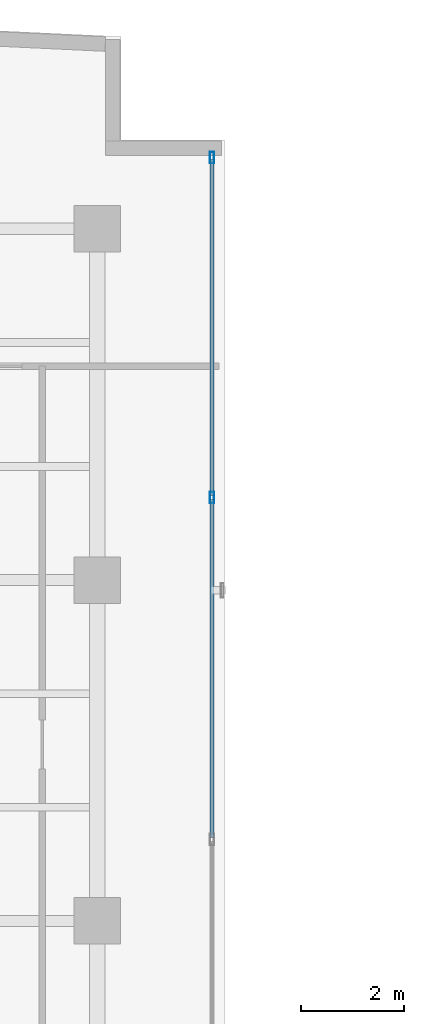
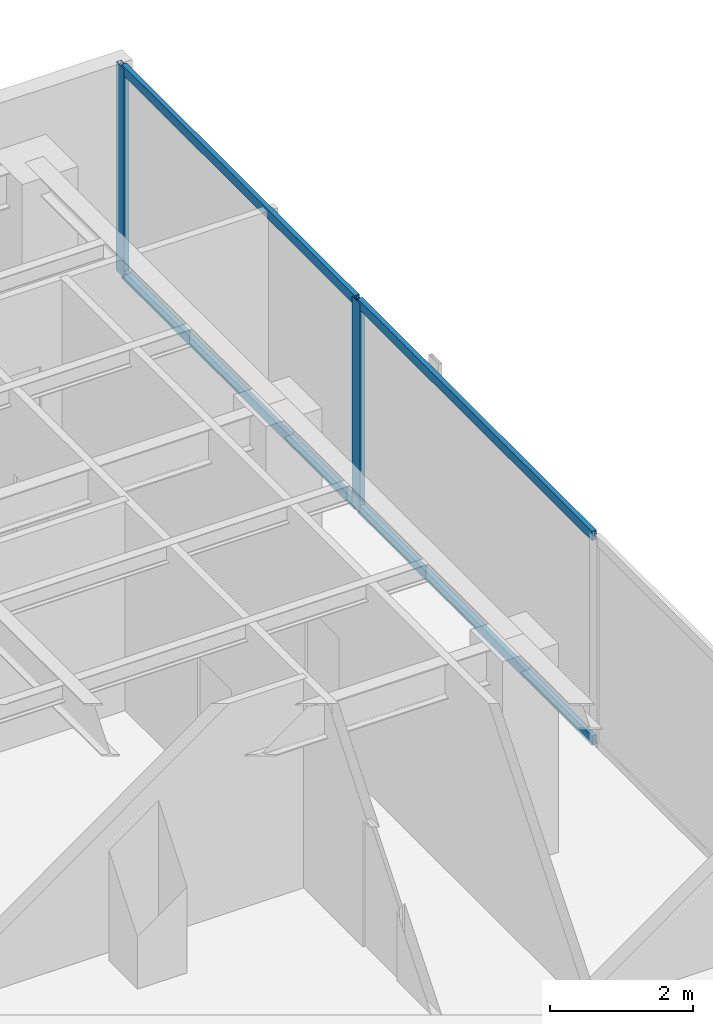
# One storey, part 15 of 22: 6 members, 1 element without a shape of its own.
"""IFC4 building model written with IfcOpenShell, lengths in metres."""

from ifc_helpers import new_model, si_unit, direction, frame, origin, origin_with_axes, origin_2d, place, context, subcontext, project, spatial, hollow_rectangle, extrude, source, transform, mapped, material, layer, layer_set, material_profile, profile_set, type_object, element, aggregate, save


model = new_model("IFC4")

# Units and contexts
model_context = context("Model", 3, precision=1e-05, world=origin(), true_north=direction((0.0, 1.0)))
body_context = subcontext(model_context, "Body", "Model", "MODEL_VIEW")
ifc_project = project(units=[si_unit("LENGTHUNIT", "METRE"), si_unit("AREAUNIT", "SQUARE_METRE"), si_unit("VOLUMEUNIT", "CUBIC_METRE"), si_unit("PLANEANGLEUNIT", "RADIAN"), si_unit("MASSUNIT", "GRAM", prefix="KILO")], contexts=[model_context])

# Site, building, storey
site_placement = place(None, origin())
site = spatial("IfcSite", under=ifc_project, at=site_placement, CompositionType="ELEMENT")
building_placement = place(site_placement, origin())
building = spatial("IfcBuilding", under=site, at=building_placement, Name="Kolvaren Waterfront Exchange", CompositionType="ELEMENT")
storey_placement = place(building_placement, frame((0.0, 0.0, 312.199951171875)))
storey = spatial("IfcBuildingStorey", under=building, at=storey_placement, Name="L80", CompositionType="ELEMENT", Elevation=312.199951171875)

# Curtain wall, members
ifc_material_1 = material(Name="Anodised bronze aluminium 6063-T6", Category="aluminium")
ifc_layer = layer(ifc_material_1, 0.219970703125, Name="Anodised bronze aluminium 6063-T6")
ifc_layer_set = layer_set([ifc_layer], Name="Anodised bronze aluminium 6063-T6")
curtain_wall_type = type_object("IfcCurtainWallType", Name="ARC-CW-SYS1", PredefinedType="USERDEFINED", material=ifc_layer_set)
curtain_wall_placement = place(storey_placement, origin())
curtain_wall = element("IfcCurtainWall", 1, at=curtain_wall_placement, inside=storey, type_object=curtain_wall_type, Name="L80 stick curtain wall CW1 (CW-L80-NE)", ObjectType="STICK CURTAIN WALL", PredefinedType="USERDEFINED")
ifc_material_2 = material(Name="Anodised aluminium 6063-T6", Category="aluminium")
ifc_material_profile_1 = material_profile(ifc_material_2, hollow_rectangle(XDim=0.080078125, YDim=0.219970703125, WallThickness=0.0048828125, at=origin_2d()), Name="ALU-MUL-220x80x5")
ifc_profile_set_1 = profile_set([ifc_material_profile_1], Name="Anodised aluminium 6063-T6")
member_type_1 = type_object("IfcMemberType", Name="ARC-CWM-220", PredefinedType="MULLION", material=ifc_profile_set_1)
shared_shape_1 = source(origin_with_axes(), body_context, "Body", "SweptSolid", [
    extrude(hollow_rectangle(XDim=0.080078125, YDim=0.219970703125, WallThickness=0.0048828125, at=origin_2d()), origin(), (0.0, 0.0, 1.0), 3.56005859375),
])
member_1_placement = place(storey_placement, frame((21.023193359375, 39.3984375, 0.0), z_axis=(0.0, 0.0, 1.0), x_axis=(-1.0, 0.0, 0.0)))
member_1 = element("IfcMember", 2, at=member_1_placement, type_object=member_type_1, Name="CW1 mullion 3", PredefinedType="MULLION", context=body_context, shape_type="MappedRepresentation", body=[
    mapped(shared_shape_1, transform((0.0, 0.0, 0.0), x_axis=(1.0, 0.0, 0.0), y_axis=(0.0, 1.0, 0.0), z_axis=(0.0, 0.0, 1.0), scale=1.0)),
])
member_2_placement = place(storey_placement, frame((21.023193359375, 45.981201171875, 0.0), z_axis=(0.0, 0.0, 1.0), x_axis=(-1.0, 0.0, 0.0)))
member_2 = element("IfcMember", 3, at=member_2_placement, type_object=member_type_1, Name="CW1 mullion 4", PredefinedType="MULLION", context=body_context, shape_type="MappedRepresentation", body=[
    mapped(shared_shape_1, transform((0.0, 0.0, 0.0), x_axis=(1.0, 0.0, 0.0), y_axis=(0.0, 1.0, 0.0), z_axis=(0.0, 0.0, 1.0), scale=1.0)),
])
ifc_material_profile_2 = material_profile(ifc_material_2, hollow_rectangle(XDim=0.074951171875, YDim=0.159912109375, WallThickness=0.00439453125, at=origin_2d()), Name="ALU-TRN-160x75x4.5")
ifc_profile_set_2 = profile_set([ifc_material_profile_2], Name="Anodised aluminium 6063-T6")
member_type_2 = type_object("IfcMemberType", Name="ARC-CWT-160", PredefinedType="USERDEFINED", material=ifc_profile_set_2)
shared_shape_2 = source(origin_with_axes(), body_context, "Body", "SweptSolid", [
    extrude(hollow_rectangle(XDim=0.074951171875, YDim=0.159912109375, WallThickness=0.00439453125, at=origin_2d()), origin(), (0.0, 0.0, 1.0), 6.502685546875),
])
member_3_placement = place(storey_placement, frame((21.023193359375, 39.4384765625, 0.03759765625), z_axis=(0.0, 1.0, 0.0), x_axis=(-1.0, 0.0, 0.0)))
member_3 = element("IfcMember", 4, at=member_3_placement, type_object=member_type_2, Name="CW1 transom 3.1", ObjectType="TRANSOM", PredefinedType="USERDEFINED", context=body_context, shape_type="MappedRepresentation", body=[
    mapped(shared_shape_2, transform((0.0, 0.0, 0.0), x_axis=(1.0, 0.0, 0.0), y_axis=(0.0, 1.0, 0.0), z_axis=(0.0, 0.0, 1.0), scale=1.0)),
])
member_4_placement = place(storey_placement, frame((21.023193359375, 39.4384765625, 3.5224609375), z_axis=(0.0, 1.0, 0.0), x_axis=(-1.0, 0.0, 0.0)))
member_4 = element("IfcMember", 5, at=member_4_placement, type_object=member_type_2, Name="CW1 transom 3.2", ObjectType="TRANSOM", PredefinedType="USERDEFINED", context=body_context, shape_type="MappedRepresentation", body=[
    mapped(shared_shape_2, transform((0.0, 0.0, 0.0), x_axis=(1.0, 0.0, 0.0), y_axis=(0.0, 1.0, 0.0), z_axis=(0.0, 0.0, 1.0), scale=1.0)),
])
shared_shape_3 = source(origin_with_axes(), body_context, "Body", "SweptSolid", [
    extrude(hollow_rectangle(XDim=0.074951171875, YDim=0.159912109375, WallThickness=0.00439453125, at=origin_2d()), origin(), (0.0, 0.0, 1.0), 6.54248046875),
])
member_5_placement = place(storey_placement, frame((21.023193359375, 32.81591796875, 0.03759765625), z_axis=(0.0, 1.0, 0.0), x_axis=(-1.0, 0.0, 0.0)))
member_5 = element("IfcMember", 6, at=member_5_placement, type_object=member_type_2, Name="CW1 transom 2.1", ObjectType="TRANSOM", PredefinedType="USERDEFINED", context=body_context, shape_type="MappedRepresentation", body=[
    mapped(shared_shape_3, transform((0.0, 0.0, 0.0), x_axis=(1.0, 0.0, 0.0), y_axis=(0.0, 1.0, 0.0), z_axis=(0.0, 0.0, 1.0), scale=1.0)),
])
member_6_placement = place(storey_placement, frame((21.023193359375, 32.81591796875, 3.5224609375), z_axis=(0.0, 1.0, 0.0), x_axis=(-1.0, 0.0, 0.0)))
member_6 = element("IfcMember", 7, at=member_6_placement, type_object=member_type_2, Name="CW1 transom 2.2", ObjectType="TRANSOM", PredefinedType="USERDEFINED", context=body_context, shape_type="MappedRepresentation", body=[
    mapped(shared_shape_3, transform((0.0, 0.0, 0.0), x_axis=(1.0, 0.0, 0.0), y_axis=(0.0, 1.0, 0.0), z_axis=(0.0, 0.0, 1.0), scale=1.0)),
])
aggregate(curtain_wall, [member_1, member_2, member_5, member_6, member_3, member_4])

save(model, "model.ifc")
